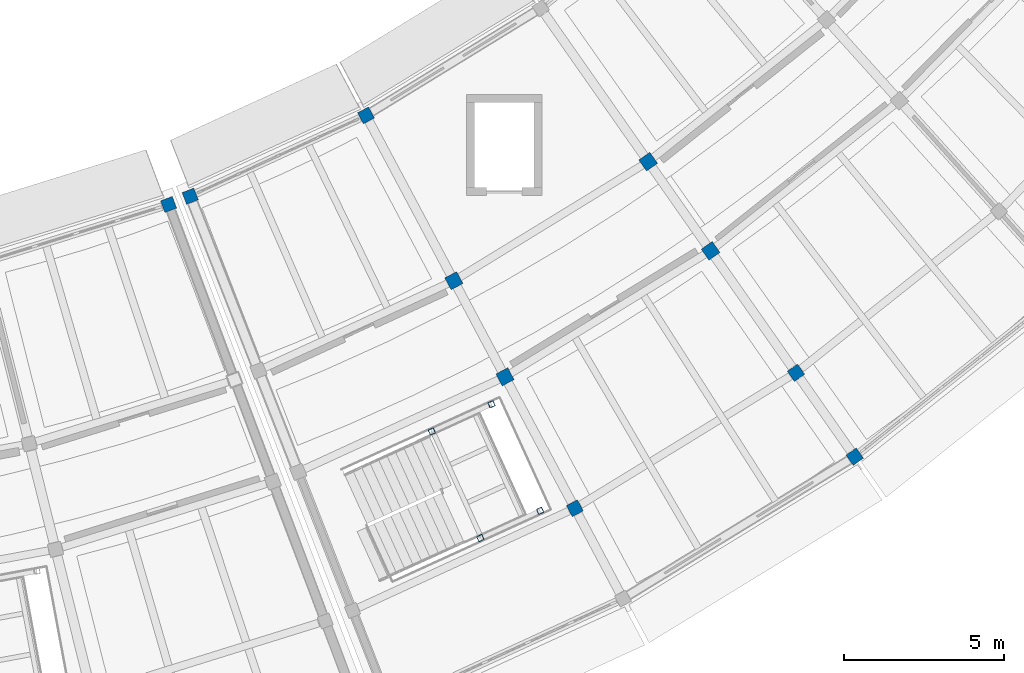
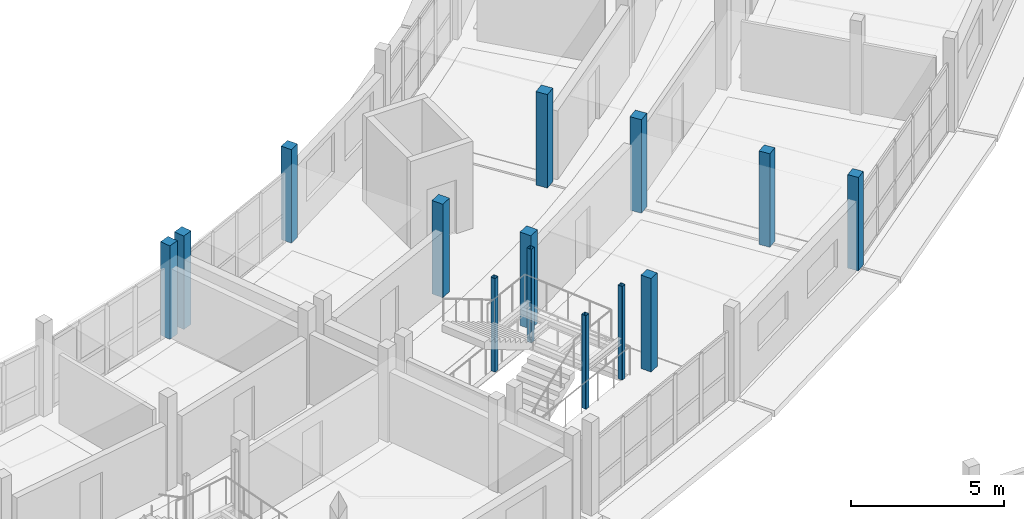
# One storey, part 11 of 77: 14 columns.
"""IFC4 building model written with IfcOpenShell, lengths in metres."""

from ifc_helpers import new_model, si_unit, direction, frame, origin, origin_2d, place, context, subcontext, project, spatial, rectangle, hollow_rectangle, extrude, material, material_profile, profile_set, type_object, element, save


model = new_model("IFC4")

# Units and contexts
model_context = context("Model", 3, precision=1e-05, world=origin(), true_north=direction((0.0, 1.0)))
body_context = subcontext(model_context, "Body", "Model", "MODEL_VIEW")
ifc_project = project(units=[si_unit("LENGTHUNIT", "METRE"), si_unit("AREAUNIT", "SQUARE_METRE"), si_unit("VOLUMEUNIT", "CUBIC_METRE"), si_unit("PLANEANGLEUNIT", "RADIAN"), si_unit("MASSUNIT", "GRAM", prefix="KILO")], contexts=[model_context])

# Site, building, storey
site_placement = place(None, origin())
site = spatial("IfcSite", under=ifc_project, at=site_placement, CompositionType="ELEMENT")
building_placement = place(site_placement, origin())
building = spatial("IfcBuilding", under=site, at=building_placement, Name="Caldaven Crescent School", CompositionType="ELEMENT")
storey_placement = place(building_placement, frame((0.0, 0.0, 4.419921875)))
storey = spatial("IfcBuildingStorey", under=building, at=storey_placement, Name="L01", CompositionType="ELEMENT", Elevation=4.419921875)

# Columns
ifc_material_1 = material(Name="Glulam MLE24h (GL28h)", Category="wood")
ifc_material_profile_1 = material_profile(ifc_material_1, rectangle(XDim=0.389892578125, YDim=0.389892578125, at=origin_2d()), Name="MLE 390x390")
ifc_profile_set_1 = profile_set([ifc_material_profile_1], Name="Glulam MLE24h (GL28h)")
column_type_1 = type_object("IfcColumnType", Name="COL-GL39", PredefinedType="COLUMN", material=ifc_profile_set_1)
for number, where, z_axis, x_axis, name in (
    (1, (106.458740234375, 46.905517578125, 0.0), (0.0, 0.0, 1.0), (0.352005016254, -0.93599811353, 0.0), "COL-V5-L01-06-0"),
    (2, (107.133056640625, 47.164306640625, 0.0), (0.0, 0.0, 1.0), (0.364714278886, -0.931119484694, 0.0), "COL-V4E-L01-00-0"),
    (3, (112.623779296875, 49.689453125, 0.0), (0.0, 0.0, 1.0), (0.469471562786, -0.882947592859, 0.0), "COL-V4E-L01-01-0"),
    (4, (119.1494140625, 37.41650390625, 0.0), (0.0, 0.0, 1.0), (0.469471562786, -0.882947592859, 0.0), "COL-V4E-L01-01-3"),
    (5, (126.056884765625, 41.649169921875, 0.0), (0.0, 0.0, 1.0), (0.573576436351, -0.819152044289, 0.0), "COL-V4E-L01-02-3"),
    (6, (127.892333984375, 39.028076171875, 0.0), (0.0, 0.0, 1.0), (0.573576436351, -0.819152044289, 0.0), "COL-V4E-L01-02-4"),
):
    element("IfcColumn", number, at=place(storey_placement, frame(where, z_axis=z_axis, x_axis=x_axis)), inside=storey, type_object=column_type_1, Name=name, PredefinedType="COLUMN", context=body_context, shape_type="SweptSolid", body=[
        extrude(rectangle(XDim=0.389892578125, YDim=0.389892578125, at=origin_2d()), origin(), (0.0, 0.0, 1.0), 3.739990234375),
    ])
ifc_material_profile_2 = material_profile(ifc_material_1, rectangle(XDim=0.419921875, YDim=0.419921875, at=origin_2d()), Name="MLE 420x420")
ifc_profile_set_2 = profile_set([ifc_material_profile_2], Name="Glulam MLE24h (GL28h)")
column_type_2 = type_object("IfcColumnType", Name="COL-GL42", PredefinedType="COLUMN", material=ifc_profile_set_2)
for number, where, z_axis, x_axis, name in (
    (7, (115.3701171875, 44.524169921875, 0.0), (0.0, 0.0, 1.0), (0.469471562786, -0.882947592859, 0.0), "COL-V4E-L01-01-1"),
    (8, (116.96630859375, 41.522216796875, 0.0), (0.0, 0.0, 1.0), (0.469471562786, -0.882947592859, 0.0), "COL-V4E-L01-01-2"),
    (9, (121.439453125, 48.243408203125, 0.0), (0.0, 0.0, 1.0), (0.573576436351, -0.819152044289, 0.0), "COL-V4E-L01-02-1"),
    (10, (123.3896484375, 45.458251953125, 0.0), (0.0, 0.0, 1.0), (0.573576436351, -0.819152044289, 0.0), "COL-V4E-L01-02-2"),
):
    element("IfcColumn", number, at=place(storey_placement, frame(where, z_axis=z_axis, x_axis=x_axis)), inside=storey, type_object=column_type_2, Name=name, PredefinedType="COLUMN", context=body_context, shape_type="SweptSolid", body=[
        extrude(rectangle(XDim=0.419921875, YDim=0.419921875, at=origin_2d()), origin(), (0.0, 0.0, 1.0), 3.739990234375),
    ])
ifc_material_2 = material(Name="Steel ASTM A572 Grade 50", Category="steel")
ifc_material_profile_3 = material_profile(ifc_material_2, hollow_rectangle(XDim=0.179931640625, YDim=0.179931640625, WallThickness=0.010009765625, InnerFilletRadius=0.010009765625, OuterFilletRadius=0.02001953125, at=origin_2d()), Name="HSS 180x180x10")
ifc_profile_set_3 = profile_set([ifc_material_profile_3], Name="Steel ASTM A572 Grade 50")
column_type_3 = type_object("IfcColumnType", Name="COL-HS18", PredefinedType="COLUMN", material=ifc_profile_set_3)
for number, where, z_axis, x_axis, name in (
    (11, (116.19921875, 36.4853515625, 0.0), (0.0, 0.0, 1.0), (0.909961270877, 0.414693242656, 0.0), "COL-STPOST-ST4-L01-A"),
    (12, (114.681640625, 39.81591796875, 0.0), (0.0, 0.0, 1.0), (0.909961270877, 0.414693242656, 0.0), "COL-STPOST-ST4-L01-B"),
    (13, (118.064697265625, 37.33544921875, 0.0), (0.0, 0.0, 1.0), (0.909961270877, 0.414693242656, 0.0), "COL-STPOST-ST4-L01-C"),
    (14, (116.546875, 40.666015625, 0.0), (0.0, 0.0, 1.0), (0.909961270877, 0.414693242656, 0.0), "COL-STPOST-ST4-L01-D"),
):
    element("IfcColumn", number, at=place(storey_placement, frame(where, z_axis=z_axis, x_axis=x_axis)), inside=storey, type_object=column_type_3, Name=name, PredefinedType="COLUMN", context=body_context, shape_type="SweptSolid", body=[
        extrude(hollow_rectangle(XDim=0.179931640625, YDim=0.179931640625, WallThickness=0.010009765625, InnerFilletRadius=0.010009765625, OuterFilletRadius=0.02001953125, at=origin_2d()), origin(), (0.0, 0.0, 1.0), 3.739990234375),
    ])

save(model, "model.ifc")
